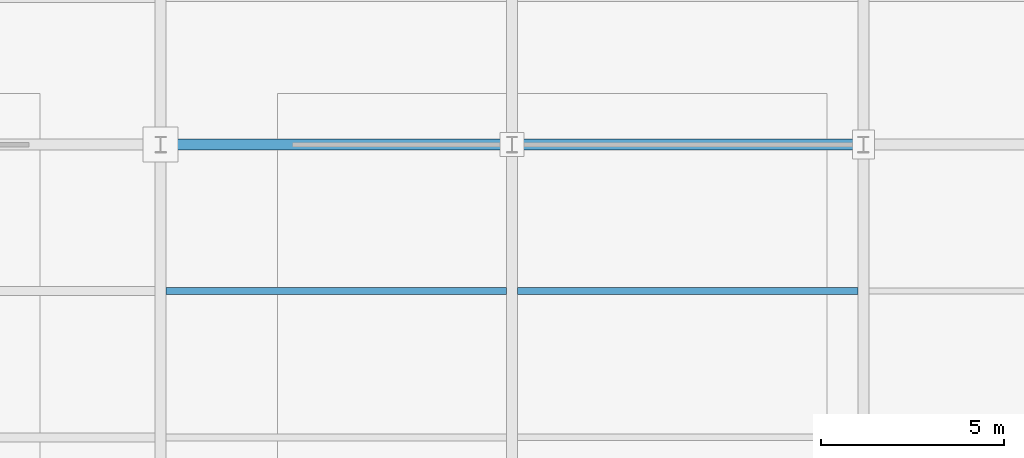
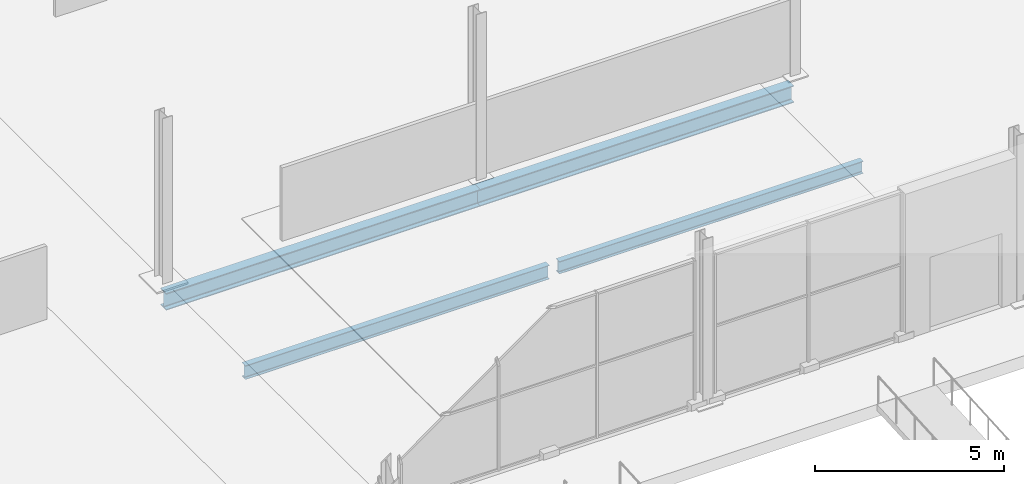
# One storey, part 38 of 196: 4 beams.
"""IFC4 building model written with IfcOpenShell, lengths in metres."""

from ifc_helpers import new_model, si_unit, direction, frame, origin, origin_2d, place, context, subcontext, project, spatial, i_section, extrude, material, material_profile, profile_set, type_object, element, save


model = new_model("IFC4")

# Units and contexts
model_context = context("Model", 3, precision=1e-05, world=origin(), true_north=direction((0.0, 1.0)))
body_context = subcontext(model_context, "Body", "Model", "MODEL_VIEW")
ifc_project = project(units=[si_unit("LENGTHUNIT", "METRE"), si_unit("AREAUNIT", "SQUARE_METRE"), si_unit("VOLUMEUNIT", "CUBIC_METRE"), si_unit("PLANEANGLEUNIT", "RADIAN"), si_unit("MASSUNIT", "GRAM", prefix="KILO")], contexts=[model_context])

# Site, building, storey
site_placement = place(None, origin())
site = spatial("IfcSite", under=ifc_project, at=site_placement, CompositionType="ELEMENT")
building_placement = place(site_placement, origin())
building = spatial("IfcBuilding", under=site, at=building_placement, Name="Merenkruunu Market Hall", CompositionType="ELEMENT")
storey_placement = place(building_placement, origin())
storey = spatial("IfcBuildingStorey", under=building, at=storey_placement, Name="L00", CompositionType="ELEMENT", Elevation=0.0)

# Beams
ifc_material = material(Name="Steel S355J2", Category="steel")
ifc_material_profile_1 = material_profile(ifc_material, i_section(OverallWidth=0.300048828125, OverallDepth=0.550048828125, WebThickness=0.014892578125, FlangeThickness=0.029052734375, FilletRadius=0.027099609375, at=origin_2d()), Name="HEB 550")
ifc_profile_set_1 = profile_set([ifc_material_profile_1], Name="Steel S355J2")
beam_type_1 = type_object("IfcBeamType", Name="Primary Floor Girder B02", PredefinedType="BEAM", material=ifc_profile_set_1)
beam_1_placement = place(storey_placement, frame((28.800048828125, 27.60009765625, -0.614990234375), z_axis=(1.0, 0.0, 0.0), x_axis=(0.0, 1.0, 0.0)))
element("IfcBeam", 1, at=beam_1_placement, inside=storey, type_object=beam_type_1, Name="BM-L00-B02-0030", PredefinedType="BEAM", context=body_context, shape_type="SweptSolid", body=[
    extrude(i_section(OverallWidth=0.300048828125, OverallDepth=0.550048828125, WebThickness=0.014892578125, FlangeThickness=0.029052734375, FilletRadius=0.027099609375, at=origin_2d()), origin(), (0.0, 0.0, 1.0), 9.599853515625),
])
beam_2_placement = place(storey_placement, frame((38.39990234375, 27.60009765625, -0.614990234375), z_axis=(1.0, 0.0, 0.0), x_axis=(0.0, 1.0, 0.0)))
element("IfcBeam", 2, at=beam_2_placement, inside=storey, type_object=beam_type_1, Name="BM-L00-B02-0031", PredefinedType="BEAM", context=body_context, shape_type="SweptSolid", body=[
    extrude(i_section(OverallWidth=0.300048828125, OverallDepth=0.550048828125, WebThickness=0.014892578125, FlangeThickness=0.029052734375, FilletRadius=0.027099609375, at=origin_2d()), origin(), (0.0, 0.0, 1.0), 9.60009765625),
])
ifc_material_profile_2 = material_profile(ifc_material, i_section(OverallWidth=0.18994140625, OverallDepth=0.449951171875, WebThickness=0.009521484375, FlangeThickness=0.0146484375, FilletRadius=0.02099609375, at=origin_2d()), Name="IPE 450")
ifc_profile_set_2 = profile_set([ifc_material_profile_2], Name="Steel S355J2")
beam_type_2 = type_object("IfcBeamType", Name="Secondary Floor Joist J01", PredefinedType="JOIST", material=ifc_profile_set_2)
beam_3_placement = place(storey_placement, frame((28.952880859375, 23.60009765625, -0.56494140625), z_axis=(1.0, 0.0, 0.0), x_axis=(0.0, 1.0, 0.0)))
element("IfcBeam", 3, at=beam_3_placement, inside=storey, type_object=beam_type_2, Name="BM-L00-J01-0303", PredefinedType="JOIST", context=body_context, shape_type="SweptSolid", body=[
    extrude(i_section(OverallWidth=0.18994140625, OverallDepth=0.449951171875, WebThickness=0.009521484375, FlangeThickness=0.0146484375, FilletRadius=0.02099609375, at=origin_2d()), origin(), (0.0, 0.0, 1.0), 9.294189453125),
])
ifc_material_profile_3 = material_profile(ifc_material, i_section(OverallWidth=0.179931640625, OverallDepth=0.39990234375, WebThickness=0.008544921875, FlangeThickness=0.013427734375, FilletRadius=0.02099609375, at=origin_2d()), Name="IPE 400")
ifc_profile_set_3 = profile_set([ifc_material_profile_3], Name="Steel S355J2")
beam_type_3 = type_object("IfcBeamType", Name="Secondary Floor Joist J02", PredefinedType="JOIST", material=ifc_profile_set_3)
beam_4_placement = place(storey_placement, frame((38.552978515625, 23.60009765625, -0.5400390625), z_axis=(1.0, 0.0, 0.0), x_axis=(0.0, 1.0, 0.0)))
element("IfcBeam", 4, at=beam_4_placement, inside=storey, type_object=beam_type_3, Name="BM-L00-J02-0318", PredefinedType="JOIST", context=body_context, shape_type="SweptSolid", body=[
    extrude(i_section(OverallWidth=0.179931640625, OverallDepth=0.39990234375, WebThickness=0.008544921875, FlangeThickness=0.013427734375, FilletRadius=0.02099609375, at=origin_2d()), origin(), (0.0, 0.0, 1.0), 9.2939453125),
])

save(model, "model.ifc")
